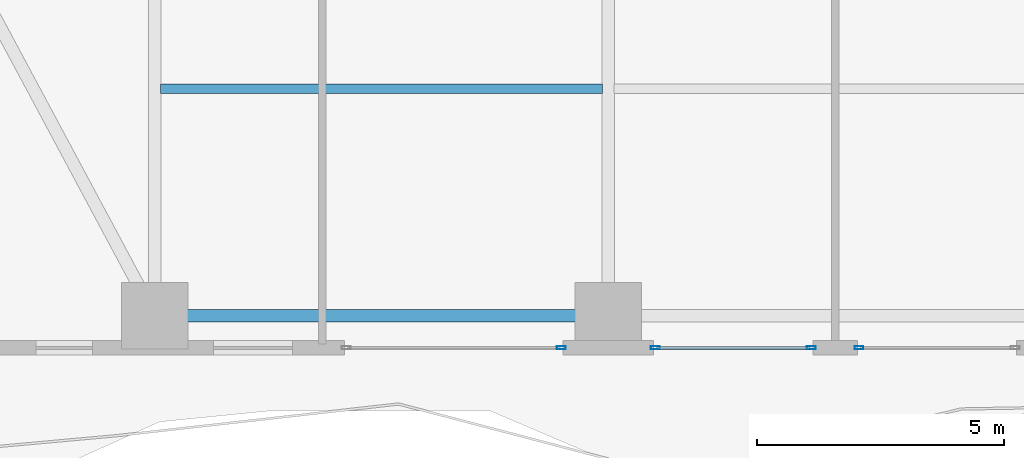
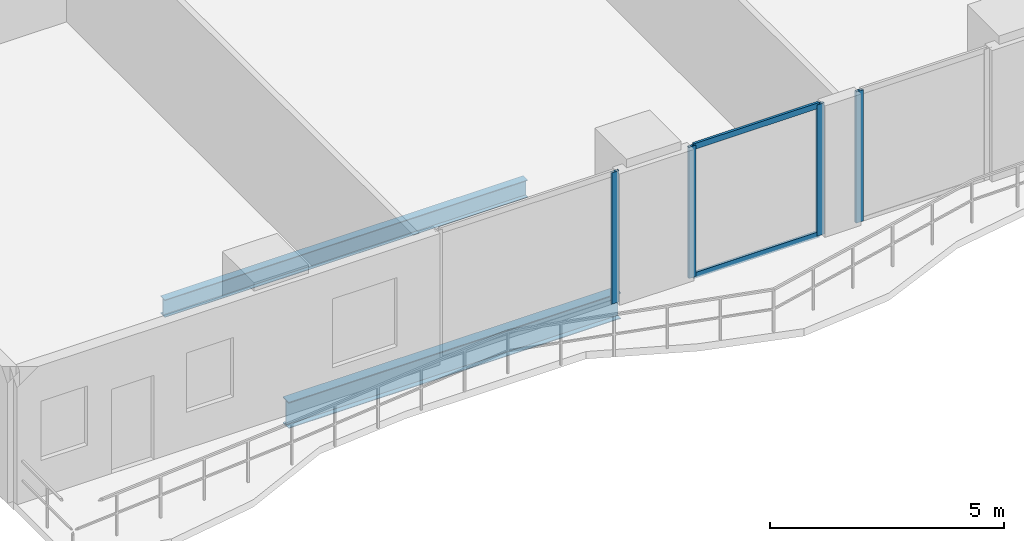
# One storey, part 4 of 29: 6 members, 2 beams, 3 elements without a shape of their own.
"""IFC4 building model written with IfcOpenShell, lengths in metres."""

from ifc_helpers import new_model, si_unit, direction, frame, origin, origin_2d, place, context, subcontext, project, spatial, hollow_rectangle, i_section, extrude, material, layer, layer_set, material_profile, profile_set, type_object, element, aggregate, save


model = new_model("IFC4")

# Units and contexts
model_context = context("Model", 3, precision=1e-05, world=origin(), true_north=direction((0.0, 1.0)))
body_context = subcontext(model_context, "Body", "Model", "MODEL_VIEW")
ifc_project = project(units=[si_unit("LENGTHUNIT", "METRE"), si_unit("AREAUNIT", "SQUARE_METRE"), si_unit("VOLUMEUNIT", "CUBIC_METRE"), si_unit("PLANEANGLEUNIT", "RADIAN"), si_unit("MASSUNIT", "GRAM", prefix="KILO")], contexts=[model_context])

# Site, building, storey
site_placement = place(None, origin())
site = spatial("IfcSite", under=ifc_project, at=site_placement, CompositionType="ELEMENT")
building_placement = place(site_placement, origin())
building = spatial("IfcBuilding", under=site, at=building_placement, Name="Zuhayl Quay Hotel", CompositionType="ELEMENT")
storey_placement = place(building_placement, frame((0.0, 0.0, 132.14990234375)))
storey = spatial("IfcBuildingStorey", under=building, at=storey_placement, Name="L33", CompositionType="ELEMENT", Elevation=132.14990234375)

# Beams
ifc_material_1 = material(Name="Steel ASTM A992 Grade 50", Category="steel")
ifc_material_profile_1 = material_profile(ifc_material_1, i_section(OverallWidth=0.25390625, OverallDepth=0.68310546875, WebThickness=0.012451171875, FlangeThickness=0.018798828125, at=origin_2d()), Name="W27X94")
ifc_profile_set_1 = profile_set([ifc_material_profile_1], Name="Steel ASTM A992 Grade 50")
beam_type_1 = type_object("IfcBeamType", Name="BM_B2_W27X94", PredefinedType="BEAM", material=ifc_profile_set_1)
beam_1_placement = place(storey_placement, frame((-13.300048828125, -14.75, -0.5615234375), z_axis=(1.0, 0.0, 0.0), x_axis=(0.0, 1.0, 0.0)))
element("IfcBeam", 1, at=beam_1_placement, inside=storey, type_object=beam_type_1, Name="L33 Floor Beam RG_L33_01", PredefinedType="BEAM", context=body_context, shape_type="SweptSolid", body=[
    extrude(i_section(OverallWidth=0.25390625, OverallDepth=0.68310546875, WebThickness=0.012451171875, FlangeThickness=0.018798828125, at=origin_2d()), origin(), (0.0, 0.0, 1.0), 8.199951171875),
])
ifc_material_profile_2 = material_profile(ifc_material_1, i_section(OverallWidth=0.18994140625, OverallDepth=0.45703125, WebThickness=0.009033203125, FlangeThickness=0.014404296875, at=origin_2d()), Name="W18X50")
ifc_profile_set_2 = profile_set([ifc_material_profile_2], Name="Steel ASTM A992 Grade 50")
beam_type_2 = type_object("IfcBeamType", Name="BM_J2_W18X50", PredefinedType="JOIST", material=ifc_profile_set_2)
beam_2_placement = place(storey_placement, frame((-13.680908203125, -10.14990234375, -0.448486328125), z_axis=(1.0, 0.0, 0.0), x_axis=(0.0, 1.0, 0.0)))
element("IfcBeam", 2, at=beam_2_placement, inside=storey, type_object=beam_type_2, Name="L33 Floor Beam FJ_L33_5_1", PredefinedType="JOIST", context=body_context, shape_type="SweptSolid", body=[
    extrude(i_section(OverallWidth=0.18994140625, OverallDepth=0.45703125, WebThickness=0.009033203125, FlangeThickness=0.014404296875, at=origin_2d()), origin(), (0.0, 0.0, 1.0), 8.9619140625),
])

# Curtain wall, member
ifc_material_2 = material(Name="Anodised Aluminium 6063-T6", Category="aluminium")
ifc_layer = layer(ifc_material_2, 0.179931640625, Name="Anodised Aluminium 6063-T6", Category="aluminium")
ifc_layer_set = layer_set([ifc_layer], Name="Anodised Aluminium 6063-T6")
curtain_wall_type = type_object("IfcCurtainWallType", Name="CW_SYS_Z2", PredefinedType="USERDEFINED", material=ifc_layer_set)
curtain_wall_1_placement = place(storey_placement, origin())
curtain_wall_1 = element("IfcCurtainWall", 3, at=curtain_wall_1_placement, inside=storey, type_object=curtain_wall_type, Name="L33 Curtain Wall ENV_L33_S_CW3", ObjectType="UNITISED CURTAIN WALL", PredefinedType="USERDEFINED")
ifc_material_3 = material(Name="Black-anodised aluminium 6063-T6", Category="aluminium")
ifc_material_profile_3 = material_profile(ifc_material_3, hollow_rectangle(XDim=0.06494140625, YDim=0.179931640625, WallThickness=0.00341796875, at=origin_2d()), Name="ALU180X65")
ifc_profile_set_3 = profile_set([ifc_material_profile_3], Name="Black-anodised aluminium 6063-T6")
member_type_1 = type_object("IfcMemberType", Name="MB_CW_MUL_180", PredefinedType="MULLION", material=ifc_profile_set_3)
member_1_placement = place(storey_placement, frame((0.482421875, -15.39990234375, 0.0), z_axis=(0.0, 0.0, 1.0), x_axis=(0.0, -1.0, 0.0)))
member_1 = element("IfcMember", 4, at=member_1_placement, type_object=member_type_1, Name="CW-Z2 mullion 2", PredefinedType="MULLION", context=body_context, shape_type="SweptSolid", body=[
    extrude(hollow_rectangle(XDim=0.06494140625, YDim=0.179931640625, WallThickness=0.00341796875, at=origin_2d()), origin(), (0.0, 0.0, 1.0), 3.43017578125),
])
aggregate(curtain_wall_1, [member_1])

# Curtain wall, members
curtain_wall_2_placement = place(storey_placement, origin())
curtain_wall_2 = element("IfcCurtainWall", 5, at=curtain_wall_2_placement, inside=storey, type_object=curtain_wall_type, Name="L33 Curtain Wall ENV_L33_S_CW4", ObjectType="UNITISED CURTAIN WALL", PredefinedType="USERDEFINED")
member_2_placement = place(storey_placement, frame((-0.482421875, -15.39990234375, 0.0), z_axis=(0.0, 0.0, 1.0), x_axis=(0.0, -1.0, 0.0)))
member_2 = element("IfcMember", 6, at=member_2_placement, type_object=member_type_1, Name="CW-Z2 mullion 1", PredefinedType="MULLION", context=body_context, shape_type="SweptSolid", body=[
    extrude(hollow_rectangle(XDim=0.06494140625, YDim=0.179931640625, WallThickness=0.00341796875, at=origin_2d()), origin(), (0.0, 0.0, 1.0), 3.43017578125),
])
member_3_placement = place(storey_placement, frame((-3.6474609375, -15.39990234375, 0.0), z_axis=(0.0, 0.0, 1.0), x_axis=(0.0, -1.0, 0.0)))
member_3 = element("IfcMember", 7, at=member_3_placement, type_object=member_type_1, Name="CW-Z2 mullion 2", PredefinedType="MULLION", context=body_context, shape_type="SweptSolid", body=[
    extrude(hollow_rectangle(XDim=0.06494140625, YDim=0.179931640625, WallThickness=0.00341796875, at=origin_2d()), origin(), (0.0, 0.0, 1.0), 3.43017578125),
])

# Curtain wall, member
curtain_wall_3_placement = place(storey_placement, origin())
curtain_wall_3 = element("IfcCurtainWall", 8, at=curtain_wall_3_placement, inside=storey, type_object=curtain_wall_type, Name="L33 Curtain Wall ENV_L33_S_CW5", ObjectType="UNITISED CURTAIN WALL", PredefinedType="USERDEFINED")
member_4_placement = place(storey_placement, frame((-5.552490234375, -15.39990234375, 0.0), z_axis=(0.0, 0.0, 1.0), x_axis=(0.0, -1.0, 0.0)))
member_4 = element("IfcMember", 9, at=member_4_placement, type_object=member_type_1, Name="CW-Z2 mullion 1", PredefinedType="MULLION", context=body_context, shape_type="SweptSolid", body=[
    extrude(hollow_rectangle(XDim=0.06494140625, YDim=0.179931640625, WallThickness=0.00341796875, at=origin_2d()), origin(), (0.0, 0.0, 1.0), 3.43017578125),
])
aggregate(curtain_wall_3, [member_4])

# Member
ifc_material_profile_4 = material_profile(ifc_material_3, hollow_rectangle(XDim=0.06005859375, YDim=0.14990234375, WallThickness=0.00341796875, at=origin_2d()), Name="ALU150X60")
ifc_profile_set_4 = profile_set([ifc_material_profile_4], Name="Black-anodised aluminium 6063-T6")
member_type_2 = type_object("IfcMemberType", Name="MB_CW_TRN_150", PredefinedType="USERDEFINED", material=ifc_profile_set_4)
member_5_placement = place(storey_placement, frame((-0.514892578125, -15.39990234375, 0.030029296875), z_axis=(-1.0, 0.0, 0.0), x_axis=(0.0, -1.0, 0.0)))
member_5 = element("IfcMember", 10, at=member_5_placement, type_object=member_type_2, Name="CW-Z2 transom 1.1", ObjectType="TRANSOM", PredefinedType="USERDEFINED", context=body_context, shape_type="SweptSolid", body=[
    extrude(hollow_rectangle(XDim=0.06005859375, YDim=0.14990234375, WallThickness=0.00341796875, at=origin_2d()), origin(), (0.0, 0.0, 1.0), 3.10009765625),
])

member_6_placement = place(storey_placement, frame((-0.514892578125, -15.39990234375, 3.400146484375), z_axis=(-1.0, 0.0, 0.0), x_axis=(0.0, -1.0, 0.0)))
member_6 = element("IfcMember", 11, at=member_6_placement, type_object=member_type_2, Name="CW-Z2 transom 1.2", ObjectType="TRANSOM", PredefinedType="USERDEFINED", context=body_context, shape_type="SweptSolid", body=[
    extrude(hollow_rectangle(XDim=0.06005859375, YDim=0.14990234375, WallThickness=0.00341796875, at=origin_2d()), origin(), (0.0, 0.0, 1.0), 3.10009765625),
])

aggregate(curtain_wall_2, [member_2, member_3, member_5, member_6])

save(model, "model.ifc")
